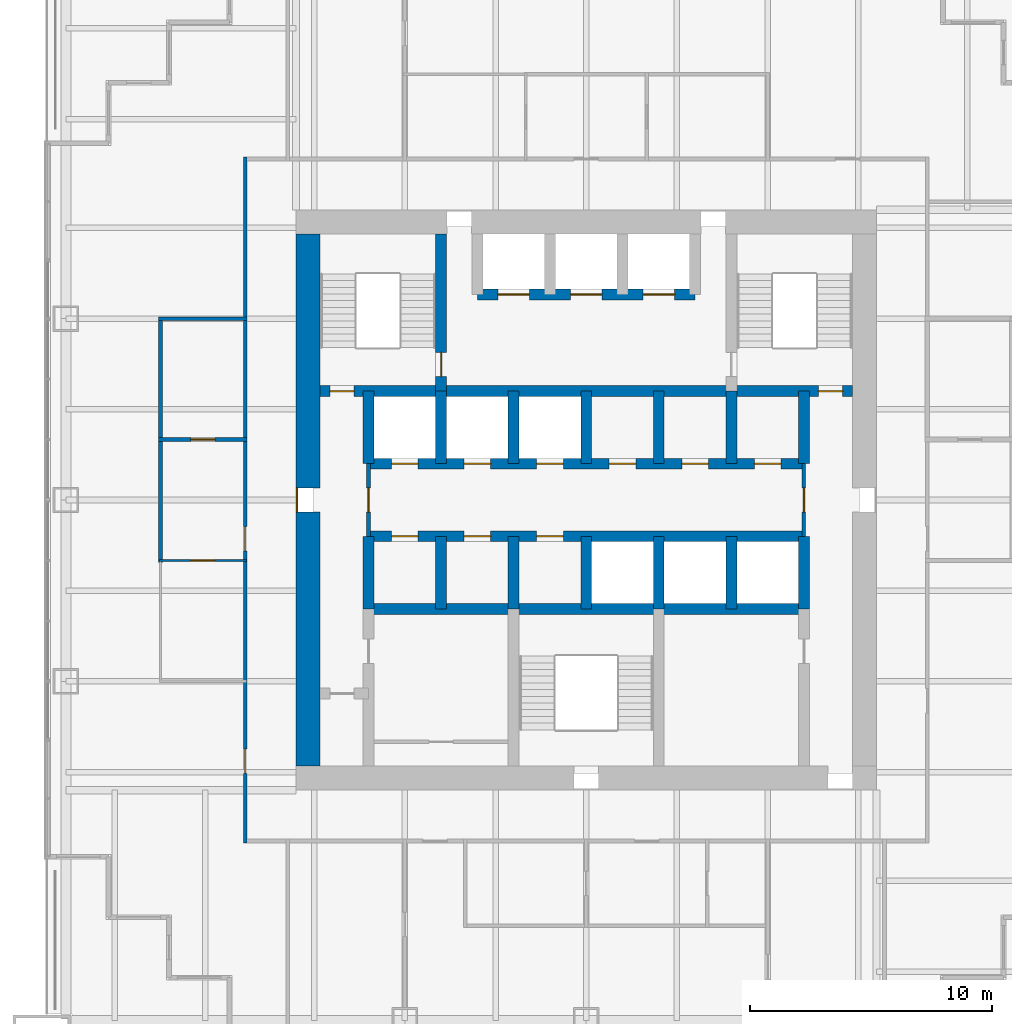
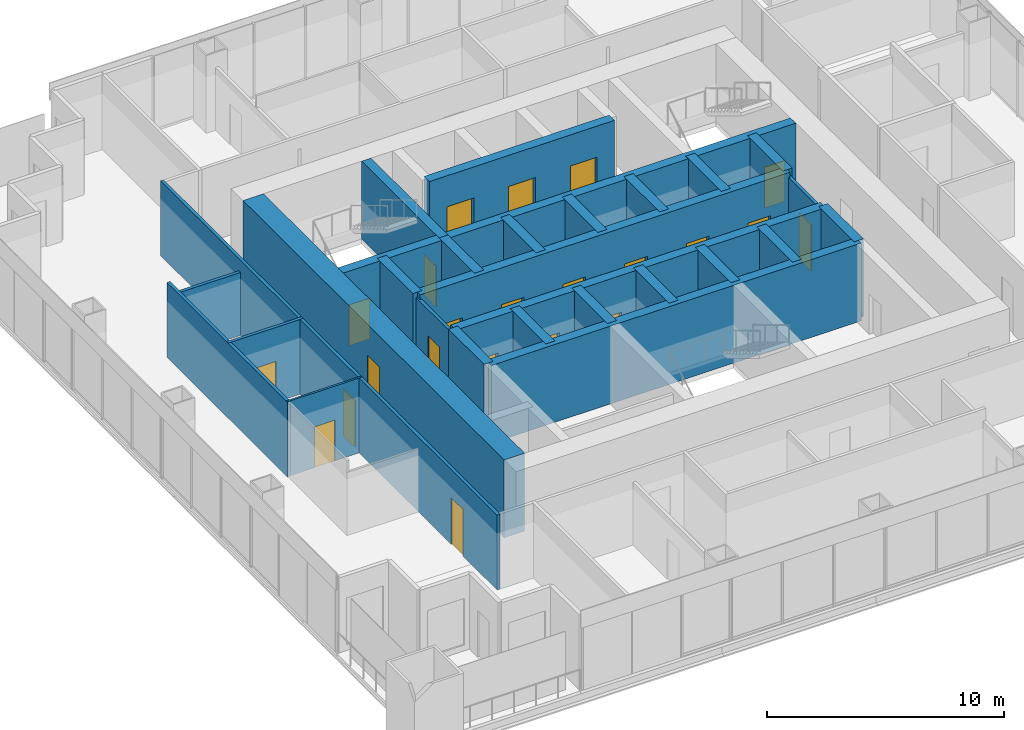
# One storey, part 9 of 13: 28 walls, 22 doors, 22 openings.
"""IFC4 building model written with IfcOpenShell, lengths in metres."""

from ifc_helpers import new_model, si_unit, direction, frame, frame_2d, origin, place, context, subcontext, project, spatial, rectangle, extrude, material, layer, layer_set, type_object, element, fill, save


model = new_model("IFC4")

# Units and contexts
model_context = context("Model", 3, precision=1e-05, world=origin(), true_north=direction((0.0, 1.0)))
body_context = subcontext(model_context, "Body", "Model", "MODEL_VIEW")
ifc_project = project(units=[si_unit("LENGTHUNIT", "METRE"), si_unit("AREAUNIT", "SQUARE_METRE"), si_unit("VOLUMEUNIT", "CUBIC_METRE"), si_unit("PLANEANGLEUNIT", "RADIAN"), si_unit("MASSUNIT", "GRAM", prefix="KILO")], contexts=[model_context])

# Site, building, storey
site_placement = place(None, origin())
site = spatial("IfcSite", under=ifc_project, at=site_placement, CompositionType="ELEMENT")
building_placement = place(site_placement, origin())
building = spatial("IfcBuilding", under=site, at=building_placement, Name="Tarangal Relay Tower", CompositionType="ELEMENT")
storey_placement = place(building_placement, frame((0.0, 0.0, 205.89990234375)))
storey = spatial("IfcBuildingStorey", under=building, at=storey_placement, Name="L43", CompositionType="ELEMENT", Elevation=205.89990234375)

# Wall, openings, doors
ifc_material_1 = material(Name="Concrete fc' 60 MPa", Category="concrete")
ifc_layer_1 = layer(ifc_material_1, 0.449951171875)
ifc_layer_set_1 = layer_set([ifc_layer_1], Name="Core inner wall 450")
wall_type_1 = type_object("IfcWallType", Name="Core inner wall 450", PredefinedType="SHEAR", material=ifc_layer_set_1)
wall_1_placement = place(storey_placement, frame((-11.0, 4.5, 0.0), z_axis=(0.0, 0.0, 1.0), x_axis=(1.0, 0.0, 0.0)))
wall_1 = element("IfcWall", 1, at=wall_1_placement, inside=storey, type_object=wall_type_1, Name="Core wall Y45 L43", PredefinedType="SHEAR", context=body_context, shape_type="SweptSolid", body=[
    extrude(rectangle(XDim=22.0, YDim=0.449951171875, at=frame_2d((11.0, 0.0))), origin(), (0.0, 0.0, 1.0), 4.0),
])
opening_1_placement = place(wall_1_placement, frame((0.39990234375, 0.0, 0.0)))
opening_1 = element("IfcOpeningElement", 2, at=opening_1_placement, cuts=wall_1, Name="Opening FD1", PredefinedType="OPENING", context=body_context, shape_type="SweptSolid", body=[
    extrude(rectangle(XDim=1.0, YDim=2.10009765625, at=frame_2d((0.5, 1.050048828125))), frame((0.0, 0.23486328125, 0.0), z_axis=(0.0, -1.0, 0.0), x_axis=(1.0, 0.0, 0.0)), (0.0, 0.0, 1.0), 0.469970703125),
])
opening_2_placement = place(wall_1_placement, frame((20.60009765625, 0.0, 0.0)))
opening_2 = element("IfcOpeningElement", 3, at=opening_2_placement, cuts=wall_1, Name="Opening FD1", PredefinedType="OPENING", context=body_context, shape_type="SweptSolid", body=[
    extrude(rectangle(XDim=1.0, YDim=2.10009765625, at=frame_2d((0.5, 1.050048828125))), frame((0.0, 0.23486328125, 0.0), z_axis=(0.0, -1.0, 0.0), x_axis=(1.0, 0.0, 0.0)), (0.0, 0.0, 1.0), 0.469970703125),
])
ifc_material_2 = material(Name="Steel door with hardwood frame", Category="steel")
door_type_1 = type_object("IfcDoorType", Name="Fire door 1000 x 2100", OperationType="SINGLE_SWING_LEFT", PredefinedType="DOOR", material=ifc_material_2)
door_1_placement = place(opening_1_placement, origin())
door_1 = element("IfcDoor", 4, at=door_1_placement, inside=storey, type_object=door_type_1, Name="Stair ST-A door from corridor L43", OperationType="SINGLE_SWING_LEFT", OverallHeight=2.10009765625, OverallWidth=1.0, PredefinedType="DOOR", context=body_context, shape_type="SweptSolid", body=[
    extrude(rectangle(XDim=1.0, YDim=2.10009765625, at=frame_2d((0.5, 1.050048828125))), frame((0.0, 0.02490234375, 0.0), z_axis=(0.0, -1.0, 0.0), x_axis=(1.0, 0.0, 0.0)), (0.0, 0.0, 1.0), 0.050048828125),
])
fill(opening_1, door_1)
door_2_placement = place(opening_2_placement, origin())
door_2 = element("IfcDoor", 5, at=door_2_placement, inside=storey, type_object=door_type_1, Name="Stair ST-B door from corridor L43", OperationType="SINGLE_SWING_LEFT", OverallHeight=2.10009765625, OverallWidth=1.0, PredefinedType="DOOR", context=body_context, shape_type="SweptSolid", body=[
    extrude(rectangle(XDim=1.0, YDim=2.10009765625, at=frame_2d((0.5, 1.050048828125))), frame((0.0, 0.02490234375, 0.0), z_axis=(0.0, -1.0, 0.0), x_axis=(1.0, 0.0, 0.0)), (0.0, 0.0, 1.0), 0.050048828125),
])
fill(opening_2, door_2)

wall_2_placement = place(storey_placement, frame((-9.0, 1.5, 0.0), z_axis=(0.0, 0.0, 1.0), x_axis=(1.0, 0.0, 0.0)))
wall_2 = element("IfcWall", 6, at=wall_2_placement, inside=storey, type_object=wall_type_1, Name="Core wall Y15 L43", PredefinedType="SHEAR", context=body_context, shape_type="SweptSolid", body=[
    extrude(rectangle(XDim=18.0, YDim=0.449951171875, at=frame_2d((9.0, 0.0))), origin(), (0.0, 0.0, 1.0), 4.0),
])
opening_3_placement = place(wall_2_placement, frame((0.949951171875, 0.0, 0.0)))
opening_3 = element("IfcOpeningElement", 7, at=opening_3_placement, cuts=wall_2, Name="Opening LD1", PredefinedType="OPENING", context=body_context, shape_type="SweptSolid", body=[
    extrude(rectangle(XDim=1.10009765625, YDim=2.10009765625, at=frame_2d((0.550048828125, 1.050048828125))), frame((0.0, 0.23486328125, 0.0), z_axis=(0.0, -1.0, 0.0), x_axis=(1.0, 0.0, 0.0)), (0.0, 0.0, 1.0), 0.469970703125),
])
opening_4_placement = place(wall_2_placement, frame((3.949951171875, 0.0, 0.0)))
opening_4 = element("IfcOpeningElement", 8, at=opening_4_placement, cuts=wall_2, Name="Opening LD1", PredefinedType="OPENING", context=body_context, shape_type="SweptSolid", body=[
    extrude(rectangle(XDim=1.10009765625, YDim=2.10009765625, at=frame_2d((0.550048828125, 1.050048828125))), frame((0.0, 0.23486328125, 0.0), z_axis=(0.0, -1.0, 0.0), x_axis=(1.0, 0.0, 0.0)), (0.0, 0.0, 1.0), 0.469970703125),
])
opening_5_placement = place(wall_2_placement, frame((6.949951171875, 0.0, 0.0)))
opening_5 = element("IfcOpeningElement", 9, at=opening_5_placement, cuts=wall_2, Name="Opening LD1", PredefinedType="OPENING", context=body_context, shape_type="SweptSolid", body=[
    extrude(rectangle(XDim=1.10009765625, YDim=2.10009765625, at=frame_2d((0.550048828125, 1.050048828125))), frame((0.0, 0.23486328125, 0.0), z_axis=(0.0, -1.0, 0.0), x_axis=(1.0, 0.0, 0.0)), (0.0, 0.0, 1.0), 0.469970703125),
])
opening_6_placement = place(wall_2_placement, frame((9.949951171875, 0.0, 0.0)))
opening_6 = element("IfcOpeningElement", 10, at=opening_6_placement, cuts=wall_2, Name="Opening D4", PredefinedType="OPENING", context=body_context, shape_type="SweptSolid", body=[
    extrude(rectangle(XDim=1.10009765625, YDim=2.10009765625, at=frame_2d((0.550048828125, 1.050048828125))), frame((0.0, 0.23486328125, 0.0), z_axis=(0.0, -1.0, 0.0), x_axis=(1.0, 0.0, 0.0)), (0.0, 0.0, 1.0), 0.469970703125),
])
opening_7_placement = place(wall_2_placement, frame((12.949951171875, 0.0, 0.0)))
opening_7 = element("IfcOpeningElement", 11, at=opening_7_placement, cuts=wall_2, Name="Opening D4", PredefinedType="OPENING", context=body_context, shape_type="SweptSolid", body=[
    extrude(rectangle(XDim=1.10009765625, YDim=2.10009765625, at=frame_2d((0.550048828125, 1.050048828125))), frame((0.0, 0.23486328125, 0.0), z_axis=(0.0, -1.0, 0.0), x_axis=(1.0, 0.0, 0.0)), (0.0, 0.0, 1.0), 0.469970703125),
])
opening_8_placement = place(wall_2_placement, frame((15.949951171875, 0.0, 0.0)))
opening_8 = element("IfcOpeningElement", 12, at=opening_8_placement, cuts=wall_2, Name="Opening D4", PredefinedType="OPENING", context=body_context, shape_type="SweptSolid", body=[
    extrude(rectangle(XDim=1.10009765625, YDim=2.10009765625, at=frame_2d((0.550048828125, 1.050048828125))), frame((0.0, 0.23486328125, 0.0), z_axis=(0.0, -1.0, 0.0), x_axis=(1.0, 0.0, 0.0)), (0.0, 0.0, 1.0), 0.469970703125),
])
door_type_2 = type_object("IfcDoorType", Name="Core room door 1100 x 2100", OperationType="SINGLE_SWING_RIGHT", PredefinedType="DOOR", material=ifc_material_2)
door_3_placement = place(opening_6_placement, origin())
door_3 = element("IfcDoor", 13, at=door_3_placement, inside=storey, type_object=door_type_2, Name="Door D4 to cleaner's store L43-T1", OperationType="SINGLE_SWING_RIGHT", OverallHeight=2.10009765625, OverallWidth=1.10009765625, PredefinedType="DOOR", context=body_context, shape_type="SweptSolid", body=[
    extrude(rectangle(XDim=1.10009765625, YDim=2.10009765625, at=frame_2d((0.550048828125, 1.050048828125))), frame((0.0, 0.02490234375, 0.0), z_axis=(0.0, -1.0, 0.0), x_axis=(1.0, 0.0, 0.0)), (0.0, 0.0, 1.0), 0.050048828125),
])
fill(opening_6, door_3)
door_4_placement = place(opening_7_placement, origin())
door_4 = element("IfcDoor", 14, at=door_4_placement, inside=storey, type_object=door_type_2, Name="Door D4 to staff wc L43-T2", OperationType="SINGLE_SWING_RIGHT", OverallHeight=2.10009765625, OverallWidth=1.10009765625, PredefinedType="DOOR", context=body_context, shape_type="SweptSolid", body=[
    extrude(rectangle(XDim=1.10009765625, YDim=2.10009765625, at=frame_2d((0.550048828125, 1.050048828125))), frame((0.0, 0.02490234375, 0.0), z_axis=(0.0, -1.0, 0.0), x_axis=(1.0, 0.0, 0.0)), (0.0, 0.0, 1.0), 0.050048828125),
])
fill(opening_7, door_4)
door_5_placement = place(opening_8_placement, origin())
door_5 = element("IfcDoor", 15, at=door_5_placement, inside=storey, type_object=door_type_2, Name="Door D4 to staff pantry L43-T3", OperationType="SINGLE_SWING_RIGHT", OverallHeight=2.10009765625, OverallWidth=1.10009765625, PredefinedType="DOOR", context=body_context, shape_type="SweptSolid", body=[
    extrude(rectangle(XDim=1.10009765625, YDim=2.10009765625, at=frame_2d((0.550048828125, 1.050048828125))), frame((0.0, 0.02490234375, 0.0), z_axis=(0.0, -1.0, 0.0), x_axis=(1.0, 0.0, 0.0)), (0.0, 0.0, 1.0), 0.050048828125),
])
fill(opening_8, door_5)
door_type_3 = type_object("IfcDoorType", Name="Lift landing door 1100 x 2100", OperationType="SLIDING_TO_LEFT", PredefinedType="DOOR", material=ifc_material_2)
door_6_placement = place(opening_3_placement, origin())
door_6 = element("IfcDoor", 16, at=door_6_placement, inside=storey, type_object=door_type_3, Name="Lift OL1 landing door L43", OperationType="SLIDING_TO_LEFT", OverallHeight=2.10009765625, OverallWidth=1.10009765625, PredefinedType="DOOR", context=body_context, shape_type="SweptSolid", body=[
    extrude(rectangle(XDim=1.10009765625, YDim=2.10009765625, at=frame_2d((0.550048828125, 1.050048828125))), frame((0.0, 0.02490234375, 0.0), z_axis=(0.0, -1.0, 0.0), x_axis=(1.0, 0.0, 0.0)), (0.0, 0.0, 1.0), 0.050048828125),
])
fill(opening_3, door_6)
door_7_placement = place(opening_4_placement, origin())
door_7 = element("IfcDoor", 17, at=door_7_placement, inside=storey, type_object=door_type_3, Name="Lift OL2 landing door L43", OperationType="SLIDING_TO_LEFT", OverallHeight=2.10009765625, OverallWidth=1.10009765625, PredefinedType="DOOR", context=body_context, shape_type="SweptSolid", body=[
    extrude(rectangle(XDim=1.10009765625, YDim=2.10009765625, at=frame_2d((0.550048828125, 1.050048828125))), frame((0.0, 0.02490234375, 0.0), z_axis=(0.0, -1.0, 0.0), x_axis=(1.0, 0.0, 0.0)), (0.0, 0.0, 1.0), 0.050048828125),
])
fill(opening_4, door_7)
door_8_placement = place(opening_5_placement, origin())
door_8 = element("IfcDoor", 18, at=door_8_placement, inside=storey, type_object=door_type_3, Name="Lift OL3 landing door L43", OperationType="SLIDING_TO_LEFT", OverallHeight=2.10009765625, OverallWidth=1.10009765625, PredefinedType="DOOR", context=body_context, shape_type="SweptSolid", body=[
    extrude(rectangle(XDim=1.10009765625, YDim=2.10009765625, at=frame_2d((0.550048828125, 1.050048828125))), frame((0.0, 0.02490234375, 0.0), z_axis=(0.0, -1.0, 0.0), x_axis=(1.0, 0.0, 0.0)), (0.0, 0.0, 1.0), 0.050048828125),
])
fill(opening_5, door_8)

wall_3_placement = place(storey_placement, frame((-9.0, -1.5, 0.0), z_axis=(0.0, 0.0, 1.0), x_axis=(1.0, 0.0, 0.0)))
wall_3 = element("IfcWall", 19, at=wall_3_placement, inside=storey, type_object=wall_type_1, Name="Core wall YM15 L43", PredefinedType="SHEAR", context=body_context, shape_type="SweptSolid", body=[
    extrude(rectangle(XDim=18.0, YDim=0.449951171875, at=frame_2d((9.0, 0.0))), origin(), (0.0, 0.0, 1.0), 4.0),
])
opening_9_placement = place(wall_3_placement, frame((0.949951171875, 0.0, 0.0)))
opening_9 = element("IfcOpeningElement", 20, at=opening_9_placement, cuts=wall_3, Name="Opening D4", PredefinedType="OPENING", context=body_context, shape_type="SweptSolid", body=[
    extrude(rectangle(XDim=1.10009765625, YDim=2.10009765625, at=frame_2d((0.550048828125, 1.050048828125))), frame((0.0, 0.23486328125, 0.0), z_axis=(0.0, -1.0, 0.0), x_axis=(1.0, 0.0, 0.0)), (0.0, 0.0, 1.0), 0.469970703125),
])
opening_10_placement = place(wall_3_placement, frame((3.949951171875, 0.0, 0.0)))
opening_10 = element("IfcOpeningElement", 21, at=opening_10_placement, cuts=wall_3, Name="Opening D4", PredefinedType="OPENING", context=body_context, shape_type="SweptSolid", body=[
    extrude(rectangle(XDim=1.10009765625, YDim=2.10009765625, at=frame_2d((0.550048828125, 1.050048828125))), frame((0.0, 0.23486328125, 0.0), z_axis=(0.0, -1.0, 0.0), x_axis=(1.0, 0.0, 0.0)), (0.0, 0.0, 1.0), 0.469970703125),
])
opening_11_placement = place(wall_3_placement, frame((6.949951171875, 0.0, 0.0)))
opening_11 = element("IfcOpeningElement", 22, at=opening_11_placement, cuts=wall_3, Name="Opening D4", PredefinedType="OPENING", context=body_context, shape_type="SweptSolid", body=[
    extrude(rectangle(XDim=1.10009765625, YDim=2.10009765625, at=frame_2d((0.550048828125, 1.050048828125))), frame((0.0, 0.23486328125, 0.0), z_axis=(0.0, -1.0, 0.0), x_axis=(1.0, 0.0, 0.0)), (0.0, 0.0, 1.0), 0.469970703125),
])
door_9_placement = place(opening_9_placement, origin())
door_9 = element("IfcDoor", 23, at=door_9_placement, inside=storey, type_object=door_type_2, Name="Door D4 to it room L43-S1", OperationType="SINGLE_SWING_RIGHT", OverallHeight=2.10009765625, OverallWidth=1.10009765625, PredefinedType="DOOR", context=body_context, shape_type="SweptSolid", body=[
    extrude(rectangle(XDim=1.10009765625, YDim=2.10009765625, at=frame_2d((0.550048828125, 1.050048828125))), frame((0.0, 0.02490234375, 0.0), z_axis=(0.0, -1.0, 0.0), x_axis=(1.0, 0.0, 0.0)), (0.0, 0.0, 1.0), 0.050048828125),
])
fill(opening_9, door_9)
door_10_placement = place(opening_10_placement, origin())
door_10 = element("IfcDoor", 24, at=door_10_placement, inside=storey, type_object=door_type_2, Name="Door D4 to cleaner's store L43-S2", OperationType="SINGLE_SWING_RIGHT", OverallHeight=2.10009765625, OverallWidth=1.10009765625, PredefinedType="DOOR", context=body_context, shape_type="SweptSolid", body=[
    extrude(rectangle(XDim=1.10009765625, YDim=2.10009765625, at=frame_2d((0.550048828125, 1.050048828125))), frame((0.0, 0.02490234375, 0.0), z_axis=(0.0, -1.0, 0.0), x_axis=(1.0, 0.0, 0.0)), (0.0, 0.0, 1.0), 0.050048828125),
])
fill(opening_10, door_10)
door_11_placement = place(opening_11_placement, origin())
door_11 = element("IfcDoor", 25, at=door_11_placement, inside=storey, type_object=door_type_2, Name="Door D4 to staff wc L43-S3", OperationType="SINGLE_SWING_RIGHT", OverallHeight=2.10009765625, OverallWidth=1.10009765625, PredefinedType="DOOR", context=body_context, shape_type="SweptSolid", body=[
    extrude(rectangle(XDim=1.10009765625, YDim=2.10009765625, at=frame_2d((0.550048828125, 1.050048828125))), frame((0.0, 0.02490234375, 0.0), z_axis=(0.0, -1.0, 0.0), x_axis=(1.0, 0.0, 0.0)), (0.0, 0.0, 1.0), 0.050048828125),
])
fill(opening_11, door_11)

# Wall
wall_4_placement = place(storey_placement, frame((-9.0, -4.5, 0.0), z_axis=(0.0, 0.0, 1.0), x_axis=(1.0, 0.0, 0.0)))
element("IfcWall", 26, at=wall_4_placement, inside=storey, type_object=wall_type_1, Name="Core wall YM45 L43", PredefinedType="SHEAR", context=body_context, shape_type="SweptSolid", body=[
    extrude(rectangle(XDim=18.0, YDim=0.449951171875, at=frame_2d((9.0, 0.0))), origin(), (0.0, 0.0, 1.0), 4.0),
])

# Wall, openings, doors
wall_5_placement = place(storey_placement, frame((-4.5, 8.5, 0.0), z_axis=(0.0, 0.0, 1.0), x_axis=(1.0, 0.0, 0.0)))
wall_5 = element("IfcWall", 27, at=wall_5_placement, inside=storey, type_object=wall_type_1, Name="Core wall Y85 L43", PredefinedType="SHEAR", context=body_context, shape_type="SweptSolid", body=[
    extrude(rectangle(XDim=9.0, YDim=0.449951171875, at=frame_2d((4.5, 0.0))), origin(), (0.0, 0.0, 1.0), 4.0),
])
opening_12_placement = place(wall_5_placement, frame((0.85009765625, 0.0, 0.0)))
opening_12 = element("IfcOpeningElement", 28, at=opening_12_placement, cuts=wall_5, Name="Opening LD2", PredefinedType="OPENING", context=body_context, shape_type="SweptSolid", body=[
    extrude(rectangle(XDim=1.300048828125, YDim=2.39990234375, at=frame_2d((0.64990234375, 1.199951171875))), frame((0.0, 0.23486328125, 0.0), z_axis=(0.0, -1.0, 0.0), x_axis=(1.0, 0.0, 0.0)), (0.0, 0.0, 1.0), 0.469970703125),
])
opening_13_placement = place(wall_5_placement, frame((6.85009765625, 0.0, 0.0)))
opening_13 = element("IfcOpeningElement", 29, at=opening_13_placement, cuts=wall_5, Name="Opening LD2", PredefinedType="OPENING", context=body_context, shape_type="SweptSolid", body=[
    extrude(rectangle(XDim=1.300048828125, YDim=2.39990234375, at=frame_2d((0.64990234375, 1.199951171875))), frame((0.0, 0.23486328125, 0.0), z_axis=(0.0, -1.0, 0.0), x_axis=(1.0, 0.0, 0.0)), (0.0, 0.0, 1.0), 0.469970703125),
])
opening_14_placement = place(wall_5_placement, frame((3.85009765625, 0.0, 0.0)))
opening_14 = element("IfcOpeningElement", 30, at=opening_14_placement, cuts=wall_5, Name="Opening LD2", PredefinedType="OPENING", context=body_context, shape_type="SweptSolid", body=[
    extrude(rectangle(XDim=1.300048828125, YDim=2.39990234375, at=frame_2d((0.64990234375, 1.199951171875))), frame((0.0, 0.23486328125, 0.0), z_axis=(0.0, -1.0, 0.0), x_axis=(1.0, 0.0, 0.0)), (0.0, 0.0, 1.0), 0.469970703125),
])
door_type_4 = type_object("IfcDoorType", Name="Lift landing door 1300 x 2400", OperationType="SLIDING_TO_LEFT", PredefinedType="DOOR", material=ifc_material_2)
door_12_placement = place(opening_12_placement, origin())
door_12 = element("IfcDoor", 31, at=door_12_placement, inside=storey, type_object=door_type_4, Name="Lift FF1 landing door L43", OperationType="SLIDING_TO_LEFT", OverallHeight=2.39990234375, OverallWidth=1.300048828125, PredefinedType="DOOR", context=body_context, shape_type="SweptSolid", body=[
    extrude(rectangle(XDim=1.300048828125, YDim=2.39990234375, at=frame_2d((0.64990234375, 1.199951171875))), frame((0.0, 0.02490234375, 0.0), z_axis=(0.0, -1.0, 0.0), x_axis=(1.0, 0.0, 0.0)), (0.0, 0.0, 1.0), 0.050048828125),
])
fill(opening_12, door_12)
door_13_placement = place(opening_13_placement, origin())
door_13 = element("IfcDoor", 32, at=door_13_placement, inside=storey, type_object=door_type_4, Name="Lift FF2 landing door L43", OperationType="SLIDING_TO_LEFT", OverallHeight=2.39990234375, OverallWidth=1.300048828125, PredefinedType="DOOR", context=body_context, shape_type="SweptSolid", body=[
    extrude(rectangle(XDim=1.300048828125, YDim=2.39990234375, at=frame_2d((0.64990234375, 1.199951171875))), frame((0.0, 0.02490234375, 0.0), z_axis=(0.0, -1.0, 0.0), x_axis=(1.0, 0.0, 0.0)), (0.0, 0.0, 1.0), 0.050048828125),
])
fill(opening_13, door_13)
door_14_placement = place(opening_14_placement, origin())
door_14 = element("IfcDoor", 33, at=door_14_placement, inside=storey, type_object=door_type_4, Name="Lift SV1 landing door L43", OperationType="SLIDING_TO_LEFT", OverallHeight=2.39990234375, OverallWidth=1.300048828125, PredefinedType="DOOR", context=body_context, shape_type="SweptSolid", body=[
    extrude(rectangle(XDim=1.300048828125, YDim=2.39990234375, at=frame_2d((0.64990234375, 1.199951171875))), frame((0.0, 0.02490234375, 0.0), z_axis=(0.0, -1.0, 0.0), x_axis=(1.0, 0.0, 0.0)), (0.0, 0.0, 1.0), 0.050048828125),
])
fill(opening_14, door_14)

# Walls
for number, where, z_axis, x_axis, name in (
    (34, (-9.0, 1.5, 0.0), (0.0, 0.0, 1.0), (0.0, 1.0, 0.0), "Core wall XM9N L43"),
    (35, (9.0, 1.5, 0.0), (0.0, 0.0, 1.0), (0.0, 1.0, 0.0), "Core wall X9N L43"),
    (36, (-9.0, -4.5, 0.0), (0.0, 0.0, 1.0), (0.0, 1.0, 0.0), "Core wall XM9S L43"),
    (37, (9.0, -4.5, 0.0), (0.0, 0.0, 1.0), (0.0, 1.0, 0.0), "Core wall X9S L43"),
    (38, (-6.0, 1.5, 0.0), (0.0, 0.0, 1.0), (0.0, 1.0, 0.0), "Core wall XM6N L43"),
    (39, (-3.0, 1.5, 0.0), (0.0, 0.0, 1.0), (0.0, 1.0, 0.0), "Core wall XM3N L43"),
    (40, (0.0, 1.5, 0.0), (0.0, 0.0, 1.0), (0.0, 1.0, 0.0), "Core wall X0N L43"),
    (41, (3.0, 1.5, 0.0), (0.0, 0.0, 1.0), (0.0, 1.0, 0.0), "Core wall X3N L43"),
    (42, (6.0, 1.5, 0.0), (0.0, 0.0, 1.0), (0.0, 1.0, 0.0), "Core wall X6N L43"),
    (43, (-6.0, -4.5, 0.0), (0.0, 0.0, 1.0), (0.0, 1.0, 0.0), "Core wall XM6S L43"),
    (44, (-3.0, -4.5, 0.0), (0.0, 0.0, 1.0), (0.0, 1.0, 0.0), "Core wall XM3S L43"),
    (45, (0.0, -4.5, 0.0), (0.0, 0.0, 1.0), (0.0, 1.0, 0.0), "Core wall X0S L43"),
    (46, (3.0, -4.5, 0.0), (0.0, 0.0, 1.0), (0.0, 1.0, 0.0), "Core wall X3S L43"),
    (47, (6.0, -4.5, 0.0), (0.0, 0.0, 1.0), (0.0, 1.0, 0.0), "Core wall X6S L43"),
):
    element("IfcWall", number, at=place(storey_placement, frame(where, z_axis=z_axis, x_axis=x_axis)), inside=storey, type_object=wall_type_1, Name=name, PredefinedType="SHEAR", context=body_context, shape_type="SweptSolid", body=[
        extrude(rectangle(XDim=3.0, YDim=0.449951171875, at=frame_2d((1.5, 0.0))), origin(), (0.0, 0.0, 1.0), 4.0),
    ])

# Wall, opening, door
wall_6_placement = place(storey_placement, frame((-6.0, 4.5, 0.0), z_axis=(0.0, 0.0, 1.0), x_axis=(0.0, 1.0, 0.0)))
wall_6 = element("IfcWall", 48, at=wall_6_placement, inside=storey, type_object=wall_type_1, Name="Core wall XM6 L43", PredefinedType="SHEAR", context=body_context, shape_type="SweptSolid", body=[
    extrude(rectangle(XDim=6.5, YDim=0.449951171875, at=frame_2d((3.25, 0.0))), origin(), (0.0, 0.0, 1.0), 4.0),
])
opening_15_placement = place(wall_6_placement, frame((0.60009765625, 0.0, 0.0)))
opening_15 = element("IfcOpeningElement", 49, at=opening_15_placement, cuts=wall_6, Name="Opening FD1", PredefinedType="OPENING", context=body_context, shape_type="SweptSolid", body=[
    extrude(rectangle(XDim=1.0, YDim=2.10009765625, at=frame_2d((0.5, 1.050048828125))), frame((0.0, 0.23486328125, 0.0), z_axis=(0.0, -1.0, 0.0), x_axis=(1.0, 0.0, 0.0)), (0.0, 0.0, 1.0), 0.469970703125),
])
door_15_placement = place(opening_15_placement, origin())
door_15 = element("IfcDoor", 50, at=door_15_placement, inside=storey, type_object=door_type_1, Name="Stair ST-A door from fire-fighting lobby L43", OperationType="SINGLE_SWING_LEFT", OverallHeight=2.10009765625, OverallWidth=1.0, PredefinedType="DOOR", context=body_context, shape_type="SweptSolid", body=[
    extrude(rectangle(XDim=1.0, YDim=2.10009765625, at=frame_2d((0.5, 1.050048828125))), frame((0.0, 0.02490234375, 0.0), z_axis=(0.0, -1.0, 0.0), x_axis=(1.0, 0.0, 0.0)), (0.0, 0.0, 1.0), 0.050048828125),
])
fill(opening_15, door_15)

ifc_layer_2 = layer(ifc_material_1, 1.0)
ifc_layer_set_2 = layer_set([ifc_layer_2], Name="Core wall 1000")
wall_type_2 = type_object("IfcWallType", Name="Core wall 1000", PredefinedType="SHEAR", material=ifc_layer_set_2)
wall_7_placement = place(storey_placement, frame((-11.5, -11.0, 0.0), z_axis=(0.0, 0.0, 1.0), x_axis=(0.0, 1.0, 0.0)))
wall_7 = element("IfcWall", 51, at=wall_7_placement, inside=storey, type_object=wall_type_2, Name="Core wall W L43", PredefinedType="SHEAR", context=body_context, shape_type="SweptSolid", body=[
    extrude(rectangle(XDim=22.0, YDim=1.0, at=frame_2d((11.0, 0.0))), origin(), (0.0, 0.0, 1.0), 4.0),
])
opening_16_placement = place(wall_7_placement, frame((10.5, 0.0, 0.0)))
opening_16 = element("IfcOpeningElement", 52, at=opening_16_placement, cuts=wall_7, Name="Opening FD3", PredefinedType="OPENING", context=body_context, shape_type="SweptSolid", body=[
    extrude(rectangle(XDim=1.0, YDim=2.39990234375, at=frame_2d((0.5, 1.199951171875))), frame((0.0, 0.510009765625, 0.0), z_axis=(0.0, -1.0, 0.0), x_axis=(1.0, 0.0, 0.0)), (0.0, 0.0, 1.0), 1.02001953125),
])
door_type_5 = type_object("IfcDoorType", Name="Fire door 1000 x 2400 core entry", OperationType="SINGLE_SWING_RIGHT", PredefinedType="DOOR", material=ifc_material_2)
door_16_placement = place(opening_16_placement, origin())
door_16 = element("IfcDoor", 53, at=door_16_placement, inside=storey, type_object=door_type_5, Name="Core entry door west L43", OperationType="SINGLE_SWING_RIGHT", OverallHeight=2.39990234375, OverallWidth=1.0, PredefinedType="DOOR", context=body_context, shape_type="SweptSolid", body=[
    extrude(rectangle(XDim=1.0, YDim=2.39990234375, at=frame_2d((0.5, 1.199951171875))), frame((0.0, 0.48486328125, 0.0), z_axis=(0.0, -1.0, 0.0), x_axis=(1.0, 0.0, 0.0)), (0.0, 0.0, 1.0), 0.050048828125),
])
fill(opening_16, door_16)

ifc_material_3 = material(Name="Double glazed aluminium framed partition", Category="aluminium")
ifc_layer_3 = layer(ifc_material_3, 0.10009765625)
ifc_layer_set_3 = layer_set([ifc_layer_3], Name="Glazed partition 100")
wall_type_3 = type_object("IfcWallType", Name="Glazed partition 100", PredefinedType="PARTITIONING", material=ifc_layer_set_3)
wall_8_placement = place(storey_placement, frame((-17.64990234375, -2.5, 0.0), z_axis=(0.0, 0.0, 1.0), x_axis=(1.0, 0.0, 0.0)))
wall_8 = element("IfcWall", 54, at=wall_8_placement, inside=storey, type_object=wall_type_3, Name="Partition PT3 L43", PredefinedType="PARTITIONING", context=body_context, shape_type="SweptSolid", body=[
    extrude(rectangle(XDim=3.599853515625, YDim=0.10009765625, at=frame_2d((1.7998046875, 0.0))), origin(), (0.0, 0.0, 1.0), 3.85009765625),
])
opening_17_placement = place(wall_8_placement, frame((1.300048828125, 0.0, 0.0)))
opening_17 = element("IfcOpeningElement", 55, at=opening_17_placement, cuts=wall_8, Name="Opening D3", PredefinedType="OPENING", context=body_context, shape_type="SweptSolid", body=[
    extrude(rectangle(XDim=1.0, YDim=2.10009765625, at=frame_2d((0.5, 1.050048828125))), frame((0.0, 0.06005859375, 0.0), z_axis=(0.0, -1.0, 0.0), x_axis=(1.0, 0.0, 0.0)), (0.0, 0.0, 1.0), 0.1201171875),
])
ifc_material_4 = material(Name="Frameless glass door", Category="glass")
door_type_6 = type_object("IfcDoorType", Name="Glazed door 1000 x 2100", OperationType="SINGLE_SWING_LEFT", PredefinedType="DOOR", material=ifc_material_4)
door_17_placement = place(opening_17_placement, origin())
door_17 = element("IfcDoor", 56, at=door_17_placement, inside=storey, type_object=door_type_6, Name="Door D3 to meeting room L43-15", OperationType="SINGLE_SWING_LEFT", OverallHeight=2.10009765625, OverallWidth=1.0, PredefinedType="DOOR", context=body_context, shape_type="SweptSolid", body=[
    extrude(rectangle(XDim=1.0, YDim=2.10009765625, at=frame_2d((0.5, 1.050048828125))), frame((0.0, 0.02490234375, 0.0), z_axis=(0.0, -1.0, 0.0), x_axis=(1.0, 0.0, 0.0)), (0.0, 0.0, 1.0), 0.050048828125),
])
fill(opening_17, door_17)

ifc_material_5 = material(Name="Gypsum board on steel studs", Category="steel")
ifc_layer_4 = layer(ifc_material_5, 0.14990234375)
ifc_layer_set_4 = layer_set([ifc_layer_4], Name="Partition 150")
wall_type_4 = type_object("IfcWallType", Name="Partition 150", PredefinedType="PARTITIONING", material=ifc_layer_set_4)
wall_9_placement = place(storey_placement, frame((-17.675048828125, 2.5, 0.0), z_axis=(0.0, 0.0, 1.0), x_axis=(1.0, 0.0, 0.0)))
wall_9 = element("IfcWall", 57, at=wall_9_placement, inside=storey, type_object=wall_type_4, Name="Partition PT1 L43", PredefinedType="PARTITIONING", context=body_context, shape_type="SweptSolid", body=[
    extrude(rectangle(XDim=3.650146484375, YDim=0.14990234375, at=frame_2d((1.8251953125, 0.0))), origin(), (0.0, 0.0, 1.0), 3.85009765625),
])
opening_18_placement = place(wall_9_placement, frame((1.324951171875, 0.0, 0.0)))
opening_18 = element("IfcOpeningElement", 58, at=opening_18_placement, cuts=wall_9, Name="Opening D2", PredefinedType="OPENING", context=body_context, shape_type="SweptSolid", body=[
    extrude(rectangle(XDim=1.0, YDim=2.10009765625, at=frame_2d((0.5, 1.050048828125))), frame((0.0, 0.0849609375, 0.0), z_axis=(0.0, -1.0, 0.0), x_axis=(1.0, 0.0, 0.0)), (0.0, 0.0, 1.0), 0.169921875),
])
ifc_material_6 = material(Name="Hardwood door", Category="wood")
door_type_7 = type_object("IfcDoorType", Name="Door 1000 x 2100", OperationType="SINGLE_SWING_LEFT", PredefinedType="DOOR", material=ifc_material_6)
door_18_placement = place(opening_18_placement, origin())
door_18 = element("IfcDoor", 59, at=door_18_placement, inside=storey, type_object=door_type_7, Name="Door D2 to tea pantry L43-17", OperationType="SINGLE_SWING_LEFT", OverallHeight=2.10009765625, OverallWidth=1.0, PredefinedType="DOOR", context=body_context, shape_type="SweptSolid", body=[
    extrude(rectangle(XDim=1.0, YDim=2.10009765625, at=frame_2d((0.5, 1.050048828125))), frame((0.0, 0.02490234375, 0.0), z_axis=(0.0, -1.0, 0.0), x_axis=(1.0, 0.0, 0.0)), (0.0, 0.0, 1.0), 0.050048828125),
])
fill(opening_18, door_18)

# Walls
wall_10_placement = place(storey_placement, frame((-17.675048828125, 7.5, 0.0), z_axis=(0.0, 0.0, 1.0), x_axis=(1.0, 0.0, 0.0)))
element("IfcWall", 60, at=wall_10_placement, inside=storey, type_object=wall_type_4, Name="Partition PT1 L43", PredefinedType="PARTITIONING", context=body_context, shape_type="SweptSolid", body=[
    extrude(rectangle(XDim=3.650146484375, YDim=0.14990234375, at=frame_2d((1.8251953125, 0.0))), origin(), (0.0, 0.0, 1.0), 3.238037109375),
])
wall_11_placement = place(storey_placement, frame((-17.60009765625, -2.574951171875, 0.0), z_axis=(0.0, 0.0, 1.0), x_axis=(0.0, 1.0, 0.0)))
element("IfcWall", 61, at=wall_11_placement, inside=storey, type_object=wall_type_4, Name="Partition PT1 L43", PredefinedType="PARTITIONING", context=body_context, shape_type="SweptSolid", body=[
    extrude(rectangle(XDim=10.14990234375, YDim=0.14990234375, at=frame_2d((5.074951171875, 0.0))), origin(), (0.0, 0.0, 1.0), 3.85009765625),
])

# Wall, openings, doors
wall_12_placement = place(storey_placement, frame((-14.10009765625, -14.175048828125, 0.0), z_axis=(0.0, 0.0, 1.0), x_axis=(0.0, 1.0, 0.0)))
wall_12 = element("IfcWall", 62, at=wall_12_placement, inside=storey, type_object=wall_type_4, Name="Partition PT1 L43", PredefinedType="PARTITIONING", context=body_context, shape_type="SweptSolid", body=[
    extrude(rectangle(XDim=28.35009765625, YDim=0.14990234375, at=frame_2d((14.175048828125, 0.0))), origin(), (0.0, 0.0, 1.0), 3.85009765625),
])
opening_19_placement = place(wall_12_placement, frame((12.074951171875, 0.0, 0.0)))
opening_19 = element("IfcOpeningElement", 63, at=opening_19_placement, cuts=wall_12, Name="Opening SD1", PredefinedType="OPENING", context=body_context, shape_type="SweptSolid", body=[
    extrude(rectangle(XDim=1.0, YDim=2.39990234375, at=frame_2d((0.5, 1.199951171875))), frame((0.0, 0.0849609375, 0.0), z_axis=(0.0, -1.0, 0.0), x_axis=(1.0, 0.0, 0.0)), (0.0, 0.0, 1.0), 0.169921875),
])
opening_20_placement = place(wall_12_placement, frame((2.875, 0.0, 0.0)))
opening_20 = element("IfcOpeningElement", 64, at=opening_20_placement, cuts=wall_12, Name="Opening SD1", PredefinedType="OPENING", context=body_context, shape_type="SweptSolid", body=[
    extrude(rectangle(XDim=1.0, YDim=2.39990234375, at=frame_2d((0.5, 1.199951171875))), frame((0.0, 0.0849609375, 0.0), z_axis=(0.0, -1.0, 0.0), x_axis=(1.0, 0.0, 0.0)), (0.0, 0.0, 1.0), 0.169921875),
])
door_type_8 = type_object("IfcDoorType", Name="Suite entrance door 1000 x 2400", OperationType="SINGLE_SWING_RIGHT", PredefinedType="DOOR", material=ifc_material_2)
door_19_placement = place(opening_19_placement, origin())
door_19 = element("IfcDoor", 65, at=door_19_placement, inside=storey, type_object=door_type_8, Name="Door SD1 to reception L43-16", OperationType="SINGLE_SWING_RIGHT", OverallHeight=2.39990234375, OverallWidth=1.0, PredefinedType="DOOR", context=body_context, shape_type="SweptSolid", body=[
    extrude(rectangle(XDim=1.0, YDim=2.39990234375, at=frame_2d((0.5, 1.199951171875))), frame((0.0, 0.02490234375, 0.0), z_axis=(0.0, -1.0, 0.0), x_axis=(1.0, 0.0, 0.0)), (0.0, 0.0, 1.0), 0.050048828125),
])
fill(opening_19, door_19)
door_20_placement = place(opening_20_placement, origin())
door_20 = element("IfcDoor", 66, at=door_20_placement, inside=storey, type_object=door_type_8, Name="Door SD1 to open plan office L43-20", OperationType="SINGLE_SWING_RIGHT", OverallHeight=2.39990234375, OverallWidth=1.0, PredefinedType="DOOR", context=body_context, shape_type="SweptSolid", body=[
    extrude(rectangle(XDim=1.0, YDim=2.39990234375, at=frame_2d((0.5, 1.199951171875))), frame((0.0, 0.02490234375, 0.0), z_axis=(0.0, -1.0, 0.0), x_axis=(1.0, 0.0, 0.0)), (0.0, 0.0, 1.0), 0.050048828125),
])
fill(opening_20, door_20)

# Wall, opening, door
wall_13_placement = place(storey_placement, frame((-9.0, -1.5, 0.0), z_axis=(0.0, 0.0, 1.0), x_axis=(0.0, 1.0, 0.0)))
wall_13 = element("IfcWall", 67, at=wall_13_placement, inside=storey, type_object=wall_type_4, Name="Partition PT1 L43", PredefinedType="PARTITIONING", context=body_context, shape_type="SweptSolid", body=[
    extrude(rectangle(XDim=3.0, YDim=0.14990234375, at=frame_2d((1.5, 0.0))), origin(), (0.0, 0.0, 1.0), 3.75),
])
opening_21_placement = place(wall_13_placement, frame((1.0, 0.0, 0.0)))
opening_21 = element("IfcOpeningElement", 68, at=opening_21_placement, cuts=wall_13, Name="Opening FD3", PredefinedType="OPENING", context=body_context, shape_type="SweptSolid", body=[
    extrude(rectangle(XDim=1.0, YDim=2.39990234375, at=frame_2d((0.5, 1.199951171875))), frame((0.0, 0.0849609375, 0.0), z_axis=(0.0, -1.0, 0.0), x_axis=(1.0, 0.0, 0.0)), (0.0, 0.0, 1.0), 0.169921875),
])
door_21_placement = place(opening_21_placement, origin())
door_21 = element("IfcDoor", 69, at=door_21_placement, inside=storey, type_object=door_type_5, Name="Lift lobby door FD3 to the west corridor L43", OperationType="SINGLE_SWING_RIGHT", OverallHeight=2.39990234375, OverallWidth=1.0, PredefinedType="DOOR", context=body_context, shape_type="SweptSolid", body=[
    extrude(rectangle(XDim=1.0, YDim=2.39990234375, at=frame_2d((0.5, 1.199951171875))), frame((0.0, 0.02490234375, 0.0), z_axis=(0.0, -1.0, 0.0), x_axis=(1.0, 0.0, 0.0)), (0.0, 0.0, 1.0), 0.050048828125),
])
fill(opening_21, door_21)

wall_14_placement = place(storey_placement, frame((9.0, -1.5, 0.0), z_axis=(0.0, 0.0, 1.0), x_axis=(0.0, 1.0, 0.0)))
wall_14 = element("IfcWall", 70, at=wall_14_placement, inside=storey, type_object=wall_type_4, Name="Partition PT1 L43", PredefinedType="PARTITIONING", context=body_context, shape_type="SweptSolid", body=[
    extrude(rectangle(XDim=3.0, YDim=0.14990234375, at=frame_2d((1.5, 0.0))), origin(), (0.0, 0.0, 1.0), 3.75),
])
opening_22_placement = place(wall_14_placement, frame((1.0, 0.0, 0.0)))
opening_22 = element("IfcOpeningElement", 71, at=opening_22_placement, cuts=wall_14, Name="Opening FD3", PredefinedType="OPENING", context=body_context, shape_type="SweptSolid", body=[
    extrude(rectangle(XDim=1.0, YDim=2.39990234375, at=frame_2d((0.5, 1.199951171875))), frame((0.0, 0.0849609375, 0.0), z_axis=(0.0, -1.0, 0.0), x_axis=(1.0, 0.0, 0.0)), (0.0, 0.0, 1.0), 0.169921875),
])
door_22_placement = place(opening_22_placement, origin())
door_22 = element("IfcDoor", 72, at=door_22_placement, inside=storey, type_object=door_type_5, Name="Lift lobby door FD3 to the east corridor L43", OperationType="SINGLE_SWING_RIGHT", OverallHeight=2.39990234375, OverallWidth=1.0, PredefinedType="DOOR", context=body_context, shape_type="SweptSolid", body=[
    extrude(rectangle(XDim=1.0, YDim=2.39990234375, at=frame_2d((0.5, 1.199951171875))), frame((0.0, 0.02490234375, 0.0), z_axis=(0.0, -1.0, 0.0), x_axis=(1.0, 0.0, 0.0)), (0.0, 0.0, 1.0), 0.050048828125),
])
fill(opening_22, door_22)

save(model, "model.ifc")
